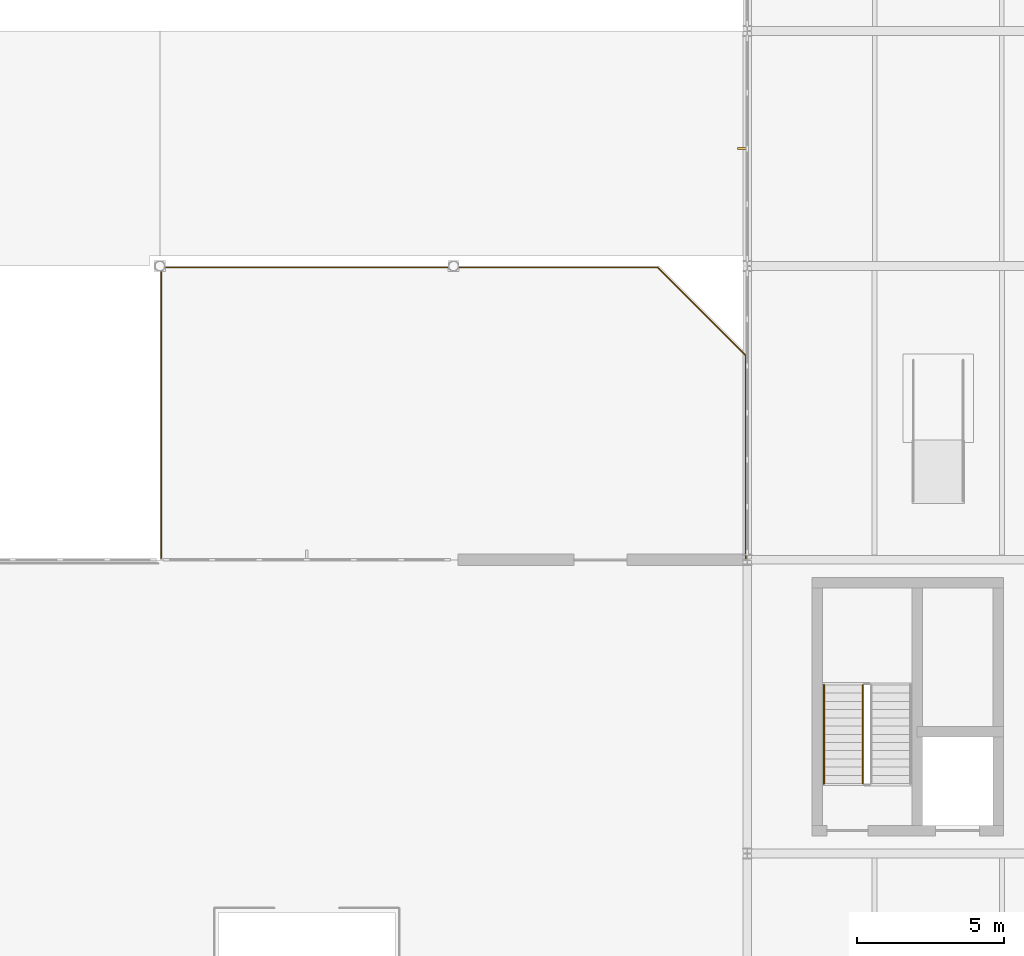
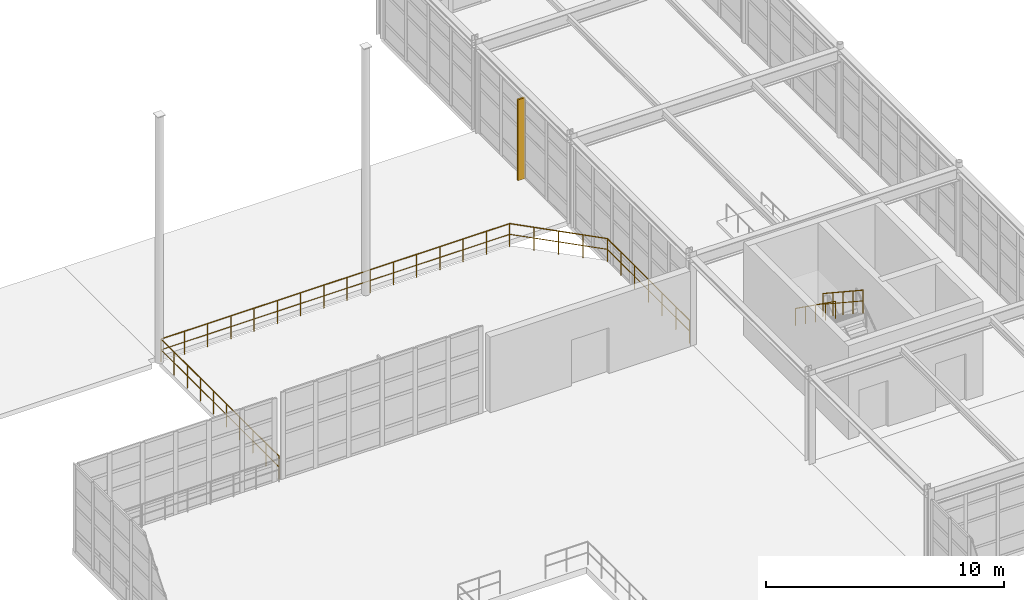
# One storey, part 134 of 139: 3 railings, 1 shading device.
"""IFC4 building model written with IfcOpenShell, lengths in metres."""

from ifc_helpers import new_model, si_unit, direction, frame, origin, origin_2d, place, context, subcontext, project, spatial, rectangle, circle, extrude, material, type_object, element, save


model = new_model("IFC4")

# Units and contexts
model_context = context("Model", 3, precision=1e-05, world=origin(), true_north=direction((0.0, 1.0)))
body_context = subcontext(model_context, "Body", "Model", "MODEL_VIEW")
ifc_project = project(units=[si_unit("LENGTHUNIT", "METRE"), si_unit("AREAUNIT", "SQUARE_METRE"), si_unit("VOLUMEUNIT", "CUBIC_METRE"), si_unit("PLANEANGLEUNIT", "RADIAN"), si_unit("MASSUNIT", "GRAM", prefix="KILO"), si_unit("THERMODYNAMICTEMPERATUREUNIT", "KELVIN"), si_unit("POWERUNIT", "WATT")], contexts=[model_context])

# Site, building, storey
site_placement = place(None, origin())
site = spatial("IfcSite", under=ifc_project, at=site_placement, CompositionType="ELEMENT")
building_placement = place(site_placement, origin())
building = spatial("IfcBuilding", under=site, at=building_placement, Name="Korenveer Ferry Terminal", CompositionType="ELEMENT")
storey_placement = place(building_placement, frame((0.0, 0.0, 5.39990234375)))
storey = spatial("IfcBuildingStorey", under=building, at=storey_placement, Name="L01", CompositionType="ELEMENT", Elevation=5.39990234375)

# Railing
ifc_material_1 = material(Name="Marine stainless and bronze balustrade", Category="aluminium")
railing_type_1 = type_object("IfcRailingType", Name="ENV-RL-BAL120", PredefinedType="BALUSTRADE", material=ifc_material_1)
railing_1_placement = place(storey_placement, frame((122.949951171875, 90.050048828125, 0.0)))
element("IfcRailing", 1, at=railing_1_placement, inside=storey, type_object=railing_type_1, Name="Outdoor terrace balustrade 4", PredefinedType="BALUSTRADE", context=body_context, shape_type="SweptSolid", body=[
    extrude(circle(Radius=0.02392578125, at=origin_2d()), frame((0.0, 0.0, 1.17578125), z_axis=(0.0, 1.0, 0.0), x_axis=(-1.0, 0.0, 0.0)), (0.0, 0.0, 1.0), 6.89990234375),
    extrude(circle(Radius=0.01806640625, at=origin_2d()), frame((0.0, 0.0, 0.6240234375), z_axis=(0.0, 1.0, 0.0), x_axis=(-1.0, 0.0, 0.0)), (0.0, 0.0, 1.0), 6.89990234375),
    extrude(circle(Radius=0.02392578125, at=origin_2d()), frame((0.0, 6.89990234375, 1.17578125), z_axis=(-0.707106781187, 0.707106781187, 0.0), x_axis=(-0.707106781187, -0.707106781187, 0.0)), (0.0, 0.0, 1.0), 4.24267578125),
    extrude(circle(Radius=0.01806640625, at=origin_2d()), frame((0.0, 6.89990234375, 0.6240234375), z_axis=(-0.707106781187, 0.707106781187, 0.0), x_axis=(-0.707106781187, -0.707106781187, 0.0)), (0.0, 0.0, 1.0), 4.24267578125),
    extrude(circle(Radius=0.02392578125, at=origin_2d()), frame((-3.0, 9.89990234375, 1.17578125), z_axis=(-1.0, 0.0, 0.0), x_axis=(0.0, -1.0, 0.0)), (0.0, 0.0, 1.0), 16.89990234375),
    extrude(circle(Radius=0.01806640625, at=origin_2d()), frame((-3.0, 9.89990234375, 0.6240234375), z_axis=(-1.0, 0.0, 0.0), x_axis=(0.0, -1.0, 0.0)), (0.0, 0.0, 1.0), 16.89990234375),
    extrude(circle(Radius=0.02392578125, at=origin_2d()), frame((-19.89990234375, 9.89990234375, 1.17578125), z_axis=(0.0, -1.0, 0.0), x_axis=(1.0, 0.0, 0.0)), (0.0, 0.0, 1.0), 9.89990234375),
    extrude(circle(Radius=0.01806640625, at=origin_2d()), frame((-19.89990234375, 9.89990234375, 0.6240234375), z_axis=(0.0, -1.0, 0.0), x_axis=(1.0, 0.0, 0.0)), (0.0, 0.0, 1.0), 9.89990234375),
    extrude(circle(Radius=0.02099609375, at=origin_2d()), origin(), (0.0, 0.0, 1.0), 1.15185546875),
    extrude(circle(Radius=0.02099609375, at=origin_2d()), frame((0.0, 1.14990234375, 0.0)), (0.0, 0.0, 1.0), 1.15185546875),
    extrude(circle(Radius=0.02099609375, at=origin_2d()), frame((0.0, 2.300048828125, 0.0)), (0.0, 0.0, 1.0), 1.15185546875),
    extrude(circle(Radius=0.02099609375, at=origin_2d()), frame((0.0, 3.449951171875, 0.0)), (0.0, 0.0, 1.0), 1.15185546875),
    extrude(circle(Radius=0.02099609375, at=origin_2d()), frame((0.0, 4.599853515625, 0.0)), (0.0, 0.0, 1.0), 1.15185546875),
    extrude(circle(Radius=0.02099609375, at=origin_2d()), frame((0.0, 5.75, 0.0)), (0.0, 0.0, 1.0), 1.15185546875),
    extrude(circle(Radius=0.02099609375, at=origin_2d()), frame((0.0, 6.89990234375, 0.0)), (0.0, 0.0, 1.0), 1.15185546875),
    extrude(circle(Radius=0.02099609375, at=origin_2d()), frame((-0.75, 7.64990234375, 0.0)), (0.0, 0.0, 1.0), 1.15185546875),
    extrude(circle(Radius=0.02099609375, at=origin_2d()), frame((-1.5, 8.39990234375, 0.0)), (0.0, 0.0, 1.0), 1.15185546875),
    extrude(circle(Radius=0.02099609375, at=origin_2d()), frame((-2.25, 9.14990234375, 0.0)), (0.0, 0.0, 1.0), 1.15185546875),
    extrude(circle(Radius=0.02099609375, at=origin_2d()), frame((-3.0, 9.89990234375, 0.0)), (0.0, 0.0, 1.0), 1.15185546875),
    extrude(circle(Radius=0.02099609375, at=origin_2d()), frame((-4.126708984375, 9.89990234375, 0.0)), (0.0, 0.0, 1.0), 1.15185546875),
    extrude(circle(Radius=0.02099609375, at=origin_2d()), frame((-5.25341796875, 9.89990234375, 0.0)), (0.0, 0.0, 1.0), 1.15185546875),
    extrude(circle(Radius=0.02099609375, at=origin_2d()), frame((-6.3798828125, 9.89990234375, 0.0)), (0.0, 0.0, 1.0), 1.15185546875),
    extrude(circle(Radius=0.02099609375, at=origin_2d()), frame((-7.506591796875, 9.89990234375, 0.0)), (0.0, 0.0, 1.0), 1.15185546875),
    extrude(circle(Radius=0.02099609375, at=origin_2d()), frame((-8.63330078125, 9.89990234375, 0.0)), (0.0, 0.0, 1.0), 1.15185546875),
    extrude(circle(Radius=0.02099609375, at=origin_2d()), frame((-9.760009765625, 9.89990234375, 0.0)), (0.0, 0.0, 1.0), 1.15185546875),
    extrude(circle(Radius=0.02099609375, at=origin_2d()), frame((-10.88671875, 9.89990234375, 0.0)), (0.0, 0.0, 1.0), 1.15185546875),
    extrude(circle(Radius=0.02099609375, at=origin_2d()), frame((-12.01318359375, 9.89990234375, 0.0)), (0.0, 0.0, 1.0), 1.15185546875),
    extrude(circle(Radius=0.02099609375, at=origin_2d()), frame((-13.139892578125, 9.89990234375, 0.0)), (0.0, 0.0, 1.0), 1.15185546875),
    extrude(circle(Radius=0.02099609375, at=origin_2d()), frame((-14.2666015625, 9.89990234375, 0.0)), (0.0, 0.0, 1.0), 1.15185546875),
    extrude(circle(Radius=0.02099609375, at=origin_2d()), frame((-15.393310546875, 9.89990234375, 0.0)), (0.0, 0.0, 1.0), 1.15185546875),
    extrude(circle(Radius=0.02099609375, at=origin_2d()), frame((-16.52001953125, 9.89990234375, 0.0)), (0.0, 0.0, 1.0), 1.15185546875),
    extrude(circle(Radius=0.02099609375, at=origin_2d()), frame((-17.646484375, 9.89990234375, 0.0)), (0.0, 0.0, 1.0), 1.15185546875),
    extrude(circle(Radius=0.02099609375, at=origin_2d()), frame((-18.773193359375, 9.89990234375, 0.0)), (0.0, 0.0, 1.0), 1.15185546875),
    extrude(circle(Radius=0.02099609375, at=origin_2d()), frame((-19.89990234375, 9.89990234375, 0.0)), (0.0, 0.0, 1.0), 1.15185546875),
    extrude(circle(Radius=0.02099609375, at=origin_2d()), frame((-19.89990234375, 8.7998046875, 0.0)), (0.0, 0.0, 1.0), 1.15185546875),
    extrude(circle(Radius=0.02099609375, at=origin_2d()), frame((-19.89990234375, 7.699951171875, 0.0)), (0.0, 0.0, 1.0), 1.15185546875),
    extrude(circle(Radius=0.02099609375, at=origin_2d()), frame((-19.89990234375, 6.599853515625, 0.0)), (0.0, 0.0, 1.0), 1.15185546875),
    extrude(circle(Radius=0.02099609375, at=origin_2d()), frame((-19.89990234375, 5.5, 0.0)), (0.0, 0.0, 1.0), 1.15185546875),
    extrude(circle(Radius=0.02099609375, at=origin_2d()), frame((-19.89990234375, 4.39990234375, 0.0)), (0.0, 0.0, 1.0), 1.15185546875),
    extrude(circle(Radius=0.02099609375, at=origin_2d()), frame((-19.89990234375, 3.300048828125, 0.0)), (0.0, 0.0, 1.0), 1.15185546875),
    extrude(circle(Radius=0.02099609375, at=origin_2d()), frame((-19.89990234375, 2.199951171875, 0.0)), (0.0, 0.0, 1.0), 1.15185546875),
    extrude(circle(Radius=0.02099609375, at=origin_2d()), frame((-19.89990234375, 1.10009765625, 0.0)), (0.0, 0.0, 1.0), 1.15185546875),
    extrude(circle(Radius=0.02099609375, at=origin_2d()), frame((-19.89990234375, 0.0, 0.0)), (0.0, 0.0, 1.0), 1.15185546875),
])

# Shading device
ifc_material_2 = material(Name="Anodised bronze aluminium solar fin", Category="aluminium")
shading_device_type = type_object("IfcShadingDeviceType", Name="ENV-SHD-FIN", PredefinedType="JALOUSIE", material=ifc_material_2)
shading_device_placement = place(storey_placement, frame((122.840087890625, 104.0, -0.019775390625), z_axis=(0.0, 0.0, 1.0), x_axis=(1.0, 0.0, 0.0)))
element("IfcShadingDevice", 2, at=shading_device_placement, inside=storey, type_object=shading_device_type, Name="Gothic solar fin 33", PredefinedType="JALOUSIE", context=body_context, shape_type="SweptSolid", body=[
    extrude(rectangle(XDim=0.360107421875, YDim=0.080078125, at=origin_2d()), origin(), (0.0, 0.0, 1.0), 4.14990234375),
])

# Railings
ifc_material_3 = material(Name="Brushed stainless steel handrail", Category="steel")
railing_type_2 = type_object("IfcRailingType", Name="INT-RL-HND90", PredefinedType="HANDRAIL", material=ifc_material_3)
railing_2_placement = place(storey_placement, frame((125.610107421875, 85.739990234375, 2.584716796875)))
element("IfcRailing", 3, at=railing_2_placement, inside=storey, type_object=railing_type_2, Name="L01 ST08 stair handrail 2", PredefinedType="HANDRAIL", context=body_context, shape_type="SweptSolid", body=[
    extrude(circle(Radius=0.02392578125, at=origin_2d()), frame((0.0, 0.0, 0.8759765625), z_axis=(0.0, -0.813753445783, 0.581210228297), x_axis=(1.0, 0.0, 0.0)), (0.0, 0.0, 1.0), 4.129150390625),
    extrude(circle(Radius=0.02099609375, at=origin_2d()), origin(), (0.0, 0.0, 1.0), 0.851806640625),
    extrude(circle(Radius=0.02099609375, at=origin_2d()), frame((0.0, -0.840087890625, 0.60009765625)), (0.0, 0.0, 1.0), 0.851806640625),
    extrude(circle(Radius=0.02099609375, at=origin_2d()), frame((0.0, -1.68017578125, 1.199951171875)), (0.0, 0.0, 1.0), 0.851806640625),
    extrude(circle(Radius=0.02099609375, at=origin_2d()), frame((0.0, -2.52001953125, 1.7998046875)), (0.0, 0.0, 1.0), 0.851806640625),
    extrude(circle(Radius=0.02099609375, at=origin_2d()), frame((0.0, -3.360107421875, 2.39990234375)), (0.0, 0.0, 1.0), 0.851806640625),
])
ifc_material_4 = material(Name="Painted steel stair guard", Category="steel")
railing_type_3 = type_object("IfcRailingType", Name="INT-RL-STGRD", PredefinedType="GUARDRAIL", material=ifc_material_4)
railing_3_placement = place(storey_placement, frame((126.929931640625, 85.739990234375, 2.584716796875)))
element("IfcRailing", 4, at=railing_3_placement, inside=storey, type_object=railing_type_3, Name="L01 ST08 stair guard 3", PredefinedType="GUARDRAIL", context=body_context, shape_type="SweptSolid", body=[
    extrude(circle(Radius=0.02392578125, at=origin_2d()), frame((0.0, 0.0, 1.17578125), z_axis=(0.0, -0.834876476806, 0.550437342915), x_axis=(1.0, 0.0, 0.0)), (0.0, 0.0, 1.0), 4.024658203125),
    extrude(circle(Radius=0.01806640625, at=origin_2d()), frame((0.0, 0.0, 0.6240234375), z_axis=(0.0, -0.834876476806, 0.550437342915), x_axis=(1.0, 0.0, 0.0)), (0.0, 0.0, 1.0), 4.024658203125),
    extrude(circle(Radius=0.02099609375, at=origin_2d()), origin(), (0.0, 0.0, 1.0), 1.15185546875),
    extrude(circle(Radius=0.02099609375, at=origin_2d()), frame((0.0, -0.840087890625, 0.5537109375)), (0.0, 0.0, 1.0), 1.15185546875),
    extrude(circle(Radius=0.02099609375, at=origin_2d()), frame((0.0, -1.68017578125, 1.107666015625)), (0.0, 0.0, 1.0), 1.15185546875),
    extrude(circle(Radius=0.02099609375, at=origin_2d()), frame((0.0, -2.52001953125, 1.66162109375)), (0.0, 0.0, 1.0), 1.15185546875),
    extrude(circle(Radius=0.02099609375, at=origin_2d()), frame((0.0, -3.360107421875, 2.21533203125)), (0.0, 0.0, 1.0), 1.15185546875),
])

save(model, "model.ifc")
